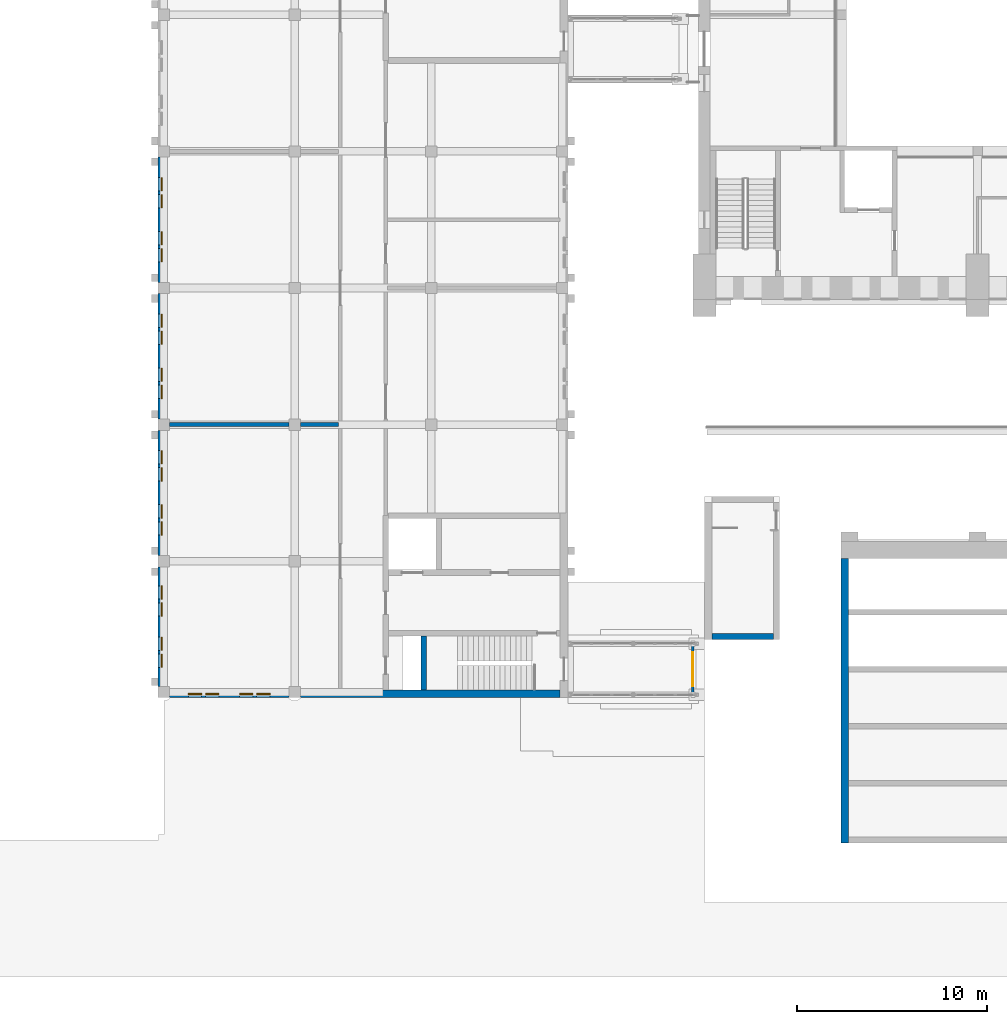
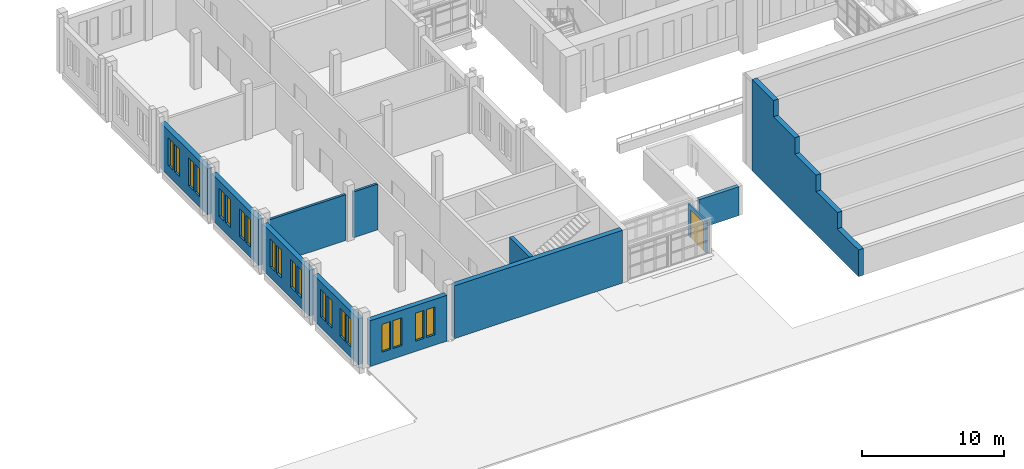
# One storey, part 75 of 131: 20 windows, 12 walls, 1 door, 21 openings.
"""IFC4 building model written with IfcOpenShell, lengths in metres."""

from ifc_helpers import new_model, si_unit, direction, frame, frame_2d, origin, place, context, subcontext, project, spatial, polyline, rectangle, outline, extrude, material, layer, layer_set, type_object, element, fill, save


model = new_model("IFC4")

# Units and contexts
model_context = context("Model", 3, precision=1e-05, world=origin(), true_north=direction((0.0, 1.0)))
body_context = subcontext(model_context, "Body", "Model", "MODEL_VIEW")
ifc_project = project(units=[si_unit("LENGTHUNIT", "METRE"), si_unit("AREAUNIT", "SQUARE_METRE"), si_unit("VOLUMEUNIT", "CUBIC_METRE"), si_unit("PLANEANGLEUNIT", "RADIAN"), si_unit("MASSUNIT", "GRAM", prefix="KILO")], contexts=[model_context])

# Site, building, storey
site_placement = place(None, origin())
site = spatial("IfcSite", under=ifc_project, at=site_placement, CompositionType="ELEMENT")
building_placement = place(site_placement, origin())
building = spatial("IfcBuilding", under=site, at=building_placement, Name="Alderwick Market Hall", CompositionType="ELEMENT")
storey_placement = place(building_placement, frame((0.0, 0.0, 4.800048828125)))
storey = spatial("IfcBuildingStorey", under=building, at=storey_placement, Name="L00", CompositionType="ELEMENT", Elevation=4.800048828125)

# Walls
ifc_material_1 = material(Name="Concrete 5000 psi (f'c 35 MPa)", Category="concrete")
ifc_layer_1 = layer(ifc_material_1, 0.39990234375)
ifc_layer_set_1 = layer_set([ifc_layer_1], Name="Concrete 5000 psi (f'c 35 MPa)")
wall_type_1 = type_object("IfcWallType", Name="A RC Bank Cheek Wall 400", PredefinedType="SOLIDWALL", material=ifc_layer_set_1)
wall_1_placement = place(storey_placement, frame((57.800048828125, 36.14990234375, 0.0), z_axis=(0.0, 0.0, 1.0), x_axis=(0.0, -1.0, 0.0)))
element("IfcWall", 1, at=wall_1_placement, inside=storey, type_object=wall_type_1, Name="Bank cheek wall", PredefinedType="SOLIDWALL", context=body_context, shape_type="SweptSolid", body=[
    extrude(outline(polyline([(0.0, 0.0), (15.0, 0.0), (15.0, 2.300048828125), (12.0009765625, 2.300048828125), (12.0, 3.699951171875), (9.0009765625, 3.699951171875), (9.0, 5.099853515625), (6.0009765625, 5.099853515625), (6.0, 6.5), (3.0009765625, 6.5), (3.0, 7.89990234375), (0.0, 7.89990234375), (0.0, 0.0)])), frame((0.0, 0.199951171875, 0.0), z_axis=(0.0, -1.0, 0.0), x_axis=(1.0, 0.0, 0.0)), (0.0, 0.0, 1.0), 0.39990234375),
])
ifc_layer_2 = layer(ifc_material_1, 0.300048828125)
ifc_layer_set_2 = layer_set([ifc_layer_2], Name="Concrete 5000 psi (f'c 35 MPa)")
wall_type_2 = type_object("IfcWallType", Name="A RC Head-house Wall 300", PredefinedType="SHEAR", material=ifc_layer_set_2)
wall_2_placement = place(storey_placement, frame((50.800048828125, 32.030029296875, 0.0), z_axis=(0.0, 0.0, 1.0), x_axis=(1.0, 0.0, 0.0)))
element("IfcWall", 2, at=wall_2_placement, inside=storey, type_object=wall_type_2, Name="A.S.hh.W.n", PredefinedType="SHEAR", context=body_context, shape_type="SweptSolid", body=[
    extrude(rectangle(XDim=3.25, YDim=0.300048828125, at=frame_2d((1.625, 0.0))), origin(), (0.0, 0.0, 1.0), 2.5),
])

# Wall, openings, windows
ifc_material_2 = material(Name="Face brick", Category="masonry")
ifc_layer_3 = layer(ifc_material_2, 0.39990234375)
ifc_layer_set_3 = layer_set([ifc_layer_3], Name="Face brick")
wall_type_3 = type_object("IfcWallType", Name="B Brick Cavity Wall 400", PredefinedType="SOLIDWALL", material=ifc_layer_set_3)
wall_3_placement = place(storey_placement, frame((22.199951171875, 29.0, 0.0), z_axis=(0.0, 0.0, 1.0), x_axis=(1.0, 0.0, 0.0)))
wall_3 = element("IfcWall", 3, at=wall_3_placement, inside=storey, type_object=wall_type_3, Name="B.S.wall.L00.000", PredefinedType="SOLIDWALL", context=body_context, shape_type="SweptSolid", body=[
    extrude(rectangle(XDim=6.300048828125, YDim=0.39990234375, at=frame_2d((3.14990234375, 0.0))), origin(), (0.0, 0.0, 1.0), 3.949951171875),
])
opening_1_placement = place(wall_3_placement, frame((1.0, 0.0, 0.89990234375)))
opening_1 = element("IfcOpeningElement", 4, at=opening_1_placement, cuts=wall_3, Name="Opening B-W074", PredefinedType="OPENING", context=body_context, shape_type="SweptSolid", body=[
    extrude(rectangle(XDim=0.699951171875, YDim=2.39990234375, at=frame_2d((0.35009765625, 1.199951171875))), frame((0.0, 0.2099609375, 0.0), z_axis=(0.0, -1.0, 0.0), x_axis=(1.0, 0.0, 0.0)), (0.0, 0.0, 1.0), 0.419921875),
])
opening_2_placement = place(wall_3_placement, frame((1.89990234375, 0.0, 0.89990234375)))
opening_2 = element("IfcOpeningElement", 5, at=opening_2_placement, cuts=wall_3, Name="Opening B-W075", PredefinedType="OPENING", context=body_context, shape_type="SweptSolid", body=[
    extrude(rectangle(XDim=0.699951171875, YDim=2.39990234375, at=frame_2d((0.35009765625, 1.199951171875))), frame((0.0, 0.2099609375, 0.0), z_axis=(0.0, -1.0, 0.0), x_axis=(1.0, 0.0, 0.0)), (0.0, 0.0, 1.0), 0.419921875),
])
opening_3_placement = place(wall_3_placement, frame((3.699951171875, 0.0, 0.89990234375)))
opening_3 = element("IfcOpeningElement", 6, at=opening_3_placement, cuts=wall_3, Name="Opening B-W076", PredefinedType="OPENING", context=body_context, shape_type="SweptSolid", body=[
    extrude(rectangle(XDim=0.699951171875, YDim=2.39990234375, at=frame_2d((0.35009765625, 1.199951171875))), frame((0.0, 0.2099609375, 0.0), z_axis=(0.0, -1.0, 0.0), x_axis=(1.0, 0.0, 0.0)), (0.0, 0.0, 1.0), 0.419921875),
])
opening_4_placement = place(wall_3_placement, frame((4.60009765625, 0.0, 0.89990234375)))
opening_4 = element("IfcOpeningElement", 7, at=opening_4_placement, cuts=wall_3, Name="Opening B-W077", PredefinedType="OPENING", context=body_context, shape_type="SweptSolid", body=[
    extrude(rectangle(XDim=0.699951171875, YDim=2.39990234375, at=frame_2d((0.35009765625, 1.199951171875))), frame((0.0, 0.2099609375, 0.0), z_axis=(0.0, -1.0, 0.0), x_axis=(1.0, 0.0, 0.0)), (0.0, 0.0, 1.0), 0.419921875),
])
ifc_material_3 = material(Name="Aluminium frame", Category="aluminium")
window_type = type_object("IfcWindowType", Name="B Piano Nobile Window 700x2400", PartitioningType="SINGLE_PANEL", PredefinedType="WINDOW", material=ifc_material_3)
window_1_placement = place(opening_1_placement, origin())
window_1 = element("IfcWindow", 8, at=window_1_placement, inside=storey, type_object=window_type, Name="Window B-W074", OverallHeight=2.39990234375, OverallWidth=0.699951171875, PartitioningType="SINGLE_PANEL", PredefinedType="WINDOW", context=body_context, shape_type="SweptSolid", body=[
    extrude(rectangle(XDim=0.699951171875, YDim=2.39990234375, at=frame_2d((0.35009765625, 1.199951171875))), frame((0.0, 0.030029296875, 0.0), z_axis=(0.0, -1.0, 0.0), x_axis=(1.0, 0.0, 0.0)), (0.0, 0.0, 1.0), 0.06005859375),
])
fill(opening_1, window_1)
window_2_placement = place(opening_2_placement, origin())
window_2 = element("IfcWindow", 9, at=window_2_placement, inside=storey, type_object=window_type, Name="Window B-W075", OverallHeight=2.39990234375, OverallWidth=0.699951171875, PartitioningType="SINGLE_PANEL", PredefinedType="WINDOW", context=body_context, shape_type="SweptSolid", body=[
    extrude(rectangle(XDim=0.699951171875, YDim=2.39990234375, at=frame_2d((0.35009765625, 1.199951171875))), frame((0.0, 0.030029296875, 0.0), z_axis=(0.0, -1.0, 0.0), x_axis=(1.0, 0.0, 0.0)), (0.0, 0.0, 1.0), 0.06005859375),
])
fill(opening_2, window_2)
window_3_placement = place(opening_3_placement, origin())
window_3 = element("IfcWindow", 10, at=window_3_placement, inside=storey, type_object=window_type, Name="Window B-W076", OverallHeight=2.39990234375, OverallWidth=0.699951171875, PartitioningType="SINGLE_PANEL", PredefinedType="WINDOW", context=body_context, shape_type="SweptSolid", body=[
    extrude(rectangle(XDim=0.699951171875, YDim=2.39990234375, at=frame_2d((0.35009765625, 1.199951171875))), frame((0.0, 0.030029296875, 0.0), z_axis=(0.0, -1.0, 0.0), x_axis=(1.0, 0.0, 0.0)), (0.0, 0.0, 1.0), 0.06005859375),
])
fill(opening_3, window_3)
window_4_placement = place(opening_4_placement, origin())
window_4 = element("IfcWindow", 11, at=window_4_placement, inside=storey, type_object=window_type, Name="Window B-W077", OverallHeight=2.39990234375, OverallWidth=0.699951171875, PartitioningType="SINGLE_PANEL", PredefinedType="WINDOW", context=body_context, shape_type="SweptSolid", body=[
    extrude(rectangle(XDim=0.699951171875, YDim=2.39990234375, at=frame_2d((0.35009765625, 1.199951171875))), frame((0.0, 0.030029296875, 0.0), z_axis=(0.0, -1.0, 0.0), x_axis=(1.0, 0.0, 0.0)), (0.0, 0.0, 1.0), 0.06005859375),
])
fill(opening_4, window_4)

wall_4_placement = place(storey_placement, frame((21.800048828125, 29.39990234375, 0.0), z_axis=(0.0, 0.0, 1.0), x_axis=(0.0, 1.0, 0.0)))
wall_4 = element("IfcWall", 12, at=wall_4_placement, inside=storey, type_object=wall_type_3, Name="B.S.wall.L00.016", PredefinedType="SOLIDWALL", context=body_context, shape_type="SweptSolid", body=[
    extrude(rectangle(XDim=6.300048828125, YDim=0.39990234375, at=frame_2d((3.14990234375, 0.0))), origin(), (0.0, 0.0, 1.0), 3.949951171875),
])
opening_5_placement = place(wall_4_placement, frame((1.0, 0.0, 0.89990234375)))
opening_5 = element("IfcOpeningElement", 13, at=opening_5_placement, cuts=wall_4, Name="Opening B-W082", PredefinedType="OPENING", context=body_context, shape_type="SweptSolid", body=[
    extrude(rectangle(XDim=0.699951171875, YDim=2.39990234375, at=frame_2d((0.35009765625, 1.199951171875))), frame((0.0, 0.2099609375, 0.0), z_axis=(0.0, -1.0, 0.0), x_axis=(1.0, 0.0, 0.0)), (0.0, 0.0, 1.0), 0.419921875),
])
opening_6_placement = place(wall_4_placement, frame((1.89990234375, 0.0, 0.89990234375)))
opening_6 = element("IfcOpeningElement", 14, at=opening_6_placement, cuts=wall_4, Name="Opening B-W083", PredefinedType="OPENING", context=body_context, shape_type="SweptSolid", body=[
    extrude(rectangle(XDim=0.699951171875, YDim=2.39990234375, at=frame_2d((0.35009765625, 1.199951171875))), frame((0.0, 0.2099609375, 0.0), z_axis=(0.0, -1.0, 0.0), x_axis=(1.0, 0.0, 0.0)), (0.0, 0.0, 1.0), 0.419921875),
])
opening_7_placement = place(wall_4_placement, frame((3.699951171875, 0.0, 0.89990234375)))
opening_7 = element("IfcOpeningElement", 15, at=opening_7_placement, cuts=wall_4, Name="Opening B-W084", PredefinedType="OPENING", context=body_context, shape_type="SweptSolid", body=[
    extrude(rectangle(XDim=0.699951171875, YDim=2.39990234375, at=frame_2d((0.35009765625, 1.199951171875))), frame((0.0, 0.2099609375, 0.0), z_axis=(0.0, -1.0, 0.0), x_axis=(1.0, 0.0, 0.0)), (0.0, 0.0, 1.0), 0.419921875),
])
opening_8_placement = place(wall_4_placement, frame((4.60009765625, 0.0, 0.89990234375)))
opening_8 = element("IfcOpeningElement", 16, at=opening_8_placement, cuts=wall_4, Name="Opening B-W085", PredefinedType="OPENING", context=body_context, shape_type="SweptSolid", body=[
    extrude(rectangle(XDim=0.699951171875, YDim=2.39990234375, at=frame_2d((0.35009765625, 1.199951171875))), frame((0.0, 0.2099609375, 0.0), z_axis=(0.0, -1.0, 0.0), x_axis=(1.0, 0.0, 0.0)), (0.0, 0.0, 1.0), 0.419921875),
])
window_5_placement = place(opening_5_placement, origin())
window_5 = element("IfcWindow", 17, at=window_5_placement, inside=storey, type_object=window_type, Name="Window B-W082", OverallHeight=2.39990234375, OverallWidth=0.699951171875, PartitioningType="SINGLE_PANEL", PredefinedType="WINDOW", context=body_context, shape_type="SweptSolid", body=[
    extrude(rectangle(XDim=0.699951171875, YDim=2.39990234375, at=frame_2d((0.35009765625, 1.199951171875))), frame((0.0, 0.030029296875, 0.0), z_axis=(0.0, -1.0, 0.0), x_axis=(1.0, 0.0, 0.0)), (0.0, 0.0, 1.0), 0.06005859375),
])
fill(opening_5, window_5)
window_6_placement = place(opening_6_placement, origin())
window_6 = element("IfcWindow", 18, at=window_6_placement, inside=storey, type_object=window_type, Name="Window B-W083", OverallHeight=2.39990234375, OverallWidth=0.699951171875, PartitioningType="SINGLE_PANEL", PredefinedType="WINDOW", context=body_context, shape_type="SweptSolid", body=[
    extrude(rectangle(XDim=0.699951171875, YDim=2.39990234375, at=frame_2d((0.35009765625, 1.199951171875))), frame((0.0, 0.030029296875, 0.0), z_axis=(0.0, -1.0, 0.0), x_axis=(1.0, 0.0, 0.0)), (0.0, 0.0, 1.0), 0.06005859375),
])
fill(opening_6, window_6)
window_7_placement = place(opening_7_placement, origin())
window_7 = element("IfcWindow", 19, at=window_7_placement, inside=storey, type_object=window_type, Name="Window B-W084", OverallHeight=2.39990234375, OverallWidth=0.699951171875, PartitioningType="SINGLE_PANEL", PredefinedType="WINDOW", context=body_context, shape_type="SweptSolid", body=[
    extrude(rectangle(XDim=0.699951171875, YDim=2.39990234375, at=frame_2d((0.35009765625, 1.199951171875))), frame((0.0, 0.030029296875, 0.0), z_axis=(0.0, -1.0, 0.0), x_axis=(1.0, 0.0, 0.0)), (0.0, 0.0, 1.0), 0.06005859375),
])
fill(opening_7, window_7)
window_8_placement = place(opening_8_placement, origin())
window_8 = element("IfcWindow", 20, at=window_8_placement, inside=storey, type_object=window_type, Name="Window B-W085", OverallHeight=2.39990234375, OverallWidth=0.699951171875, PartitioningType="SINGLE_PANEL", PredefinedType="WINDOW", context=body_context, shape_type="SweptSolid", body=[
    extrude(rectangle(XDim=0.699951171875, YDim=2.39990234375, at=frame_2d((0.35009765625, 1.199951171875))), frame((0.0, 0.030029296875, 0.0), z_axis=(0.0, -1.0, 0.0), x_axis=(1.0, 0.0, 0.0)), (0.0, 0.0, 1.0), 0.06005859375),
])
fill(opening_8, window_8)

wall_5_placement = place(storey_placement, frame((21.800048828125, 36.300048828125, 0.0), z_axis=(0.0, 0.0, 1.0), x_axis=(0.0, 1.0, 0.0)))
wall_5 = element("IfcWall", 21, at=wall_5_placement, inside=storey, type_object=wall_type_3, Name="B.S.wall.L00.017", PredefinedType="SOLIDWALL", context=body_context, shape_type="SweptSolid", body=[
    extrude(rectangle(XDim=6.599853515625, YDim=0.39990234375, at=frame_2d((3.2998046875, 0.0))), origin(), (0.0, 0.0, 1.0), 3.949951171875),
])
opening_9_placement = place(wall_5_placement, frame((1.074951171875, 0.0, 0.89990234375)))
opening_9 = element("IfcOpeningElement", 22, at=opening_9_placement, cuts=wall_5, Name="Opening B-W086", PredefinedType="OPENING", context=body_context, shape_type="SweptSolid", body=[
    extrude(rectangle(XDim=0.699951171875, YDim=2.39990234375, at=frame_2d((0.35009765625, 1.199951171875))), frame((0.0, 0.2099609375, 0.0), z_axis=(0.0, -1.0, 0.0), x_axis=(1.0, 0.0, 0.0)), (0.0, 0.0, 1.0), 0.419921875),
])
opening_10_placement = place(wall_5_placement, frame((1.97509765625, 0.0, 0.89990234375)))
opening_10 = element("IfcOpeningElement", 23, at=opening_10_placement, cuts=wall_5, Name="Opening B-W087", PredefinedType="OPENING", context=body_context, shape_type="SweptSolid", body=[
    extrude(rectangle(XDim=0.699951171875, YDim=2.39990234375, at=frame_2d((0.35009765625, 1.199951171875))), frame((0.0, 0.2099609375, 0.0), z_axis=(0.0, -1.0, 0.0), x_axis=(1.0, 0.0, 0.0)), (0.0, 0.0, 1.0), 0.419921875),
])
opening_11_placement = place(wall_5_placement, frame((3.925048828125, 0.0, 0.89990234375)))
opening_11 = element("IfcOpeningElement", 24, at=opening_11_placement, cuts=wall_5, Name="Opening B-W088", PredefinedType="OPENING", context=body_context, shape_type="SweptSolid", body=[
    extrude(rectangle(XDim=0.699951171875, YDim=2.39990234375, at=frame_2d((0.35009765625, 1.199951171875))), frame((0.0, 0.2099609375, 0.0), z_axis=(0.0, -1.0, 0.0), x_axis=(1.0, 0.0, 0.0)), (0.0, 0.0, 1.0), 0.419921875),
])
opening_12_placement = place(wall_5_placement, frame((4.824951171875, 0.0, 0.89990234375)))
opening_12 = element("IfcOpeningElement", 25, at=opening_12_placement, cuts=wall_5, Name="Opening B-W089", PredefinedType="OPENING", context=body_context, shape_type="SweptSolid", body=[
    extrude(rectangle(XDim=0.699951171875, YDim=2.39990234375, at=frame_2d((0.35009765625, 1.199951171875))), frame((0.0, 0.2099609375, 0.0), z_axis=(0.0, -1.0, 0.0), x_axis=(1.0, 0.0, 0.0)), (0.0, 0.0, 1.0), 0.419921875),
])
window_9_placement = place(opening_9_placement, origin())
window_9 = element("IfcWindow", 26, at=window_9_placement, inside=storey, type_object=window_type, Name="Window B-W086", OverallHeight=2.39990234375, OverallWidth=0.699951171875, PartitioningType="SINGLE_PANEL", PredefinedType="WINDOW", context=body_context, shape_type="SweptSolid", body=[
    extrude(rectangle(XDim=0.699951171875, YDim=2.39990234375, at=frame_2d((0.35009765625, 1.199951171875))), frame((0.0, 0.030029296875, 0.0), z_axis=(0.0, -1.0, 0.0), x_axis=(1.0, 0.0, 0.0)), (0.0, 0.0, 1.0), 0.06005859375),
])
fill(opening_9, window_9)
window_10_placement = place(opening_10_placement, origin())
window_10 = element("IfcWindow", 27, at=window_10_placement, inside=storey, type_object=window_type, Name="Window B-W087", OverallHeight=2.39990234375, OverallWidth=0.699951171875, PartitioningType="SINGLE_PANEL", PredefinedType="WINDOW", context=body_context, shape_type="SweptSolid", body=[
    extrude(rectangle(XDim=0.699951171875, YDim=2.39990234375, at=frame_2d((0.35009765625, 1.199951171875))), frame((0.0, 0.030029296875, 0.0), z_axis=(0.0, -1.0, 0.0), x_axis=(1.0, 0.0, 0.0)), (0.0, 0.0, 1.0), 0.06005859375),
])
fill(opening_10, window_10)
window_11_placement = place(opening_11_placement, origin())
window_11 = element("IfcWindow", 28, at=window_11_placement, inside=storey, type_object=window_type, Name="Window B-W088", OverallHeight=2.39990234375, OverallWidth=0.699951171875, PartitioningType="SINGLE_PANEL", PredefinedType="WINDOW", context=body_context, shape_type="SweptSolid", body=[
    extrude(rectangle(XDim=0.699951171875, YDim=2.39990234375, at=frame_2d((0.35009765625, 1.199951171875))), frame((0.0, 0.030029296875, 0.0), z_axis=(0.0, -1.0, 0.0), x_axis=(1.0, 0.0, 0.0)), (0.0, 0.0, 1.0), 0.06005859375),
])
fill(opening_11, window_11)
window_12_placement = place(opening_12_placement, origin())
window_12 = element("IfcWindow", 29, at=window_12_placement, inside=storey, type_object=window_type, Name="Window B-W089", OverallHeight=2.39990234375, OverallWidth=0.699951171875, PartitioningType="SINGLE_PANEL", PredefinedType="WINDOW", context=body_context, shape_type="SweptSolid", body=[
    extrude(rectangle(XDim=0.699951171875, YDim=2.39990234375, at=frame_2d((0.35009765625, 1.199951171875))), frame((0.0, 0.030029296875, 0.0), z_axis=(0.0, -1.0, 0.0), x_axis=(1.0, 0.0, 0.0)), (0.0, 0.0, 1.0), 0.06005859375),
])
fill(opening_12, window_12)

wall_6_placement = place(storey_placement, frame((21.800048828125, 43.5, 0.0), z_axis=(0.0, 0.0, 1.0), x_axis=(0.0, 1.0, 0.0)))
wall_6 = element("IfcWall", 30, at=wall_6_placement, inside=storey, type_object=wall_type_3, Name="B.S.wall.L00.018", PredefinedType="SOLIDWALL", context=body_context, shape_type="SweptSolid", body=[
    extrude(rectangle(XDim=6.60009765625, YDim=0.39990234375, at=frame_2d((3.300048828125, 0.0))), origin(), (0.0, 0.0, 1.0), 3.949951171875),
])
opening_13_placement = place(wall_6_placement, frame((1.074951171875, 0.0, 0.89990234375)))
opening_13 = element("IfcOpeningElement", 31, at=opening_13_placement, cuts=wall_6, Name="Opening B-W090", PredefinedType="OPENING", context=body_context, shape_type="SweptSolid", body=[
    extrude(rectangle(XDim=0.699951171875, YDim=2.39990234375, at=frame_2d((0.35009765625, 1.199951171875))), frame((0.0, 0.2099609375, 0.0), z_axis=(0.0, -1.0, 0.0), x_axis=(1.0, 0.0, 0.0)), (0.0, 0.0, 1.0), 0.419921875),
])
opening_14_placement = place(wall_6_placement, frame((1.97509765625, 0.0, 0.89990234375)))
opening_14 = element("IfcOpeningElement", 32, at=opening_14_placement, cuts=wall_6, Name="Opening B-W091", PredefinedType="OPENING", context=body_context, shape_type="SweptSolid", body=[
    extrude(rectangle(XDim=0.699951171875, YDim=2.39990234375, at=frame_2d((0.35009765625, 1.199951171875))), frame((0.0, 0.2099609375, 0.0), z_axis=(0.0, -1.0, 0.0), x_axis=(1.0, 0.0, 0.0)), (0.0, 0.0, 1.0), 0.419921875),
])
opening_15_placement = place(wall_6_placement, frame((3.925048828125, 0.0, 0.89990234375)))
opening_15 = element("IfcOpeningElement", 33, at=opening_15_placement, cuts=wall_6, Name="Opening B-W092", PredefinedType="OPENING", context=body_context, shape_type="SweptSolid", body=[
    extrude(rectangle(XDim=0.699951171875, YDim=2.39990234375, at=frame_2d((0.35009765625, 1.199951171875))), frame((0.0, 0.2099609375, 0.0), z_axis=(0.0, -1.0, 0.0), x_axis=(1.0, 0.0, 0.0)), (0.0, 0.0, 1.0), 0.419921875),
])
opening_16_placement = place(wall_6_placement, frame((4.824951171875, 0.0, 0.89990234375)))
opening_16 = element("IfcOpeningElement", 34, at=opening_16_placement, cuts=wall_6, Name="Opening B-W093", PredefinedType="OPENING", context=body_context, shape_type="SweptSolid", body=[
    extrude(rectangle(XDim=0.699951171875, YDim=2.39990234375, at=frame_2d((0.35009765625, 1.199951171875))), frame((0.0, 0.2099609375, 0.0), z_axis=(0.0, -1.0, 0.0), x_axis=(1.0, 0.0, 0.0)), (0.0, 0.0, 1.0), 0.419921875),
])
window_13_placement = place(opening_13_placement, origin())
window_13 = element("IfcWindow", 35, at=window_13_placement, inside=storey, type_object=window_type, Name="Window B-W090", OverallHeight=2.39990234375, OverallWidth=0.699951171875, PartitioningType="SINGLE_PANEL", PredefinedType="WINDOW", context=body_context, shape_type="SweptSolid", body=[
    extrude(rectangle(XDim=0.699951171875, YDim=2.39990234375, at=frame_2d((0.35009765625, 1.199951171875))), frame((0.0, 0.030029296875, 0.0), z_axis=(0.0, -1.0, 0.0), x_axis=(1.0, 0.0, 0.0)), (0.0, 0.0, 1.0), 0.06005859375),
])
fill(opening_13, window_13)
window_14_placement = place(opening_14_placement, origin())
window_14 = element("IfcWindow", 36, at=window_14_placement, inside=storey, type_object=window_type, Name="Window B-W091", OverallHeight=2.39990234375, OverallWidth=0.699951171875, PartitioningType="SINGLE_PANEL", PredefinedType="WINDOW", context=body_context, shape_type="SweptSolid", body=[
    extrude(rectangle(XDim=0.699951171875, YDim=2.39990234375, at=frame_2d((0.35009765625, 1.199951171875))), frame((0.0, 0.030029296875, 0.0), z_axis=(0.0, -1.0, 0.0), x_axis=(1.0, 0.0, 0.0)), (0.0, 0.0, 1.0), 0.06005859375),
])
fill(opening_14, window_14)
window_15_placement = place(opening_15_placement, origin())
window_15 = element("IfcWindow", 37, at=window_15_placement, inside=storey, type_object=window_type, Name="Window B-W092", OverallHeight=2.39990234375, OverallWidth=0.699951171875, PartitioningType="SINGLE_PANEL", PredefinedType="WINDOW", context=body_context, shape_type="SweptSolid", body=[
    extrude(rectangle(XDim=0.699951171875, YDim=2.39990234375, at=frame_2d((0.35009765625, 1.199951171875))), frame((0.0, 0.030029296875, 0.0), z_axis=(0.0, -1.0, 0.0), x_axis=(1.0, 0.0, 0.0)), (0.0, 0.0, 1.0), 0.06005859375),
])
fill(opening_15, window_15)
window_16_placement = place(opening_16_placement, origin())
window_16 = element("IfcWindow", 38, at=window_16_placement, inside=storey, type_object=window_type, Name="Window B-W093", OverallHeight=2.39990234375, OverallWidth=0.699951171875, PartitioningType="SINGLE_PANEL", PredefinedType="WINDOW", context=body_context, shape_type="SweptSolid", body=[
    extrude(rectangle(XDim=0.699951171875, YDim=2.39990234375, at=frame_2d((0.35009765625, 1.199951171875))), frame((0.0, 0.030029296875, 0.0), z_axis=(0.0, -1.0, 0.0), x_axis=(1.0, 0.0, 0.0)), (0.0, 0.0, 1.0), 0.06005859375),
])
fill(opening_16, window_16)

wall_7_placement = place(storey_placement, frame((21.800048828125, 50.699951171875, 0.0), z_axis=(0.0, 0.0, 1.0), x_axis=(0.0, 1.0, 0.0)))
wall_7 = element("IfcWall", 39, at=wall_7_placement, inside=storey, type_object=wall_type_3, Name="B.S.wall.L00.019", PredefinedType="SOLIDWALL", context=body_context, shape_type="SweptSolid", body=[
    extrude(rectangle(XDim=6.60009765625, YDim=0.39990234375, at=frame_2d((3.300048828125, 0.0))), origin(), (0.0, 0.0, 1.0), 3.949951171875),
])
opening_17_placement = place(wall_7_placement, frame((1.074951171875, 0.0, 0.89990234375)))
opening_17 = element("IfcOpeningElement", 40, at=opening_17_placement, cuts=wall_7, Name="Opening B-W094", PredefinedType="OPENING", context=body_context, shape_type="SweptSolid", body=[
    extrude(rectangle(XDim=0.699951171875, YDim=2.39990234375, at=frame_2d((0.35009765625, 1.199951171875))), frame((0.0, 0.2099609375, 0.0), z_axis=(0.0, -1.0, 0.0), x_axis=(1.0, 0.0, 0.0)), (0.0, 0.0, 1.0), 0.419921875),
])
opening_18_placement = place(wall_7_placement, frame((1.97509765625, 0.0, 0.89990234375)))
opening_18 = element("IfcOpeningElement", 41, at=opening_18_placement, cuts=wall_7, Name="Opening B-W095", PredefinedType="OPENING", context=body_context, shape_type="SweptSolid", body=[
    extrude(rectangle(XDim=0.699951171875, YDim=2.39990234375, at=frame_2d((0.35009765625, 1.199951171875))), frame((0.0, 0.2099609375, 0.0), z_axis=(0.0, -1.0, 0.0), x_axis=(1.0, 0.0, 0.0)), (0.0, 0.0, 1.0), 0.419921875),
])
opening_19_placement = place(wall_7_placement, frame((3.925048828125, 0.0, 0.89990234375)))
opening_19 = element("IfcOpeningElement", 42, at=opening_19_placement, cuts=wall_7, Name="Opening B-W096", PredefinedType="OPENING", context=body_context, shape_type="SweptSolid", body=[
    extrude(rectangle(XDim=0.699951171875, YDim=2.39990234375, at=frame_2d((0.35009765625, 1.199951171875))), frame((0.0, 0.2099609375, 0.0), z_axis=(0.0, -1.0, 0.0), x_axis=(1.0, 0.0, 0.0)), (0.0, 0.0, 1.0), 0.419921875),
])
opening_20_placement = place(wall_7_placement, frame((4.824951171875, 0.0, 0.89990234375)))
opening_20 = element("IfcOpeningElement", 43, at=opening_20_placement, cuts=wall_7, Name="Opening B-W097", PredefinedType="OPENING", context=body_context, shape_type="SweptSolid", body=[
    extrude(rectangle(XDim=0.699951171875, YDim=2.39990234375, at=frame_2d((0.35009765625, 1.199951171875))), frame((0.0, 0.2099609375, 0.0), z_axis=(0.0, -1.0, 0.0), x_axis=(1.0, 0.0, 0.0)), (0.0, 0.0, 1.0), 0.419921875),
])
window_17_placement = place(opening_17_placement, origin())
window_17 = element("IfcWindow", 44, at=window_17_placement, inside=storey, type_object=window_type, Name="Window B-W094", OverallHeight=2.39990234375, OverallWidth=0.699951171875, PartitioningType="SINGLE_PANEL", PredefinedType="WINDOW", context=body_context, shape_type="SweptSolid", body=[
    extrude(rectangle(XDim=0.699951171875, YDim=2.39990234375, at=frame_2d((0.35009765625, 1.199951171875))), frame((0.0, 0.030029296875, 0.0), z_axis=(0.0, -1.0, 0.0), x_axis=(1.0, 0.0, 0.0)), (0.0, 0.0, 1.0), 0.06005859375),
])
fill(opening_17, window_17)
window_18_placement = place(opening_18_placement, origin())
window_18 = element("IfcWindow", 45, at=window_18_placement, inside=storey, type_object=window_type, Name="Window B-W095", OverallHeight=2.39990234375, OverallWidth=0.699951171875, PartitioningType="SINGLE_PANEL", PredefinedType="WINDOW", context=body_context, shape_type="SweptSolid", body=[
    extrude(rectangle(XDim=0.699951171875, YDim=2.39990234375, at=frame_2d((0.35009765625, 1.199951171875))), frame((0.0, 0.030029296875, 0.0), z_axis=(0.0, -1.0, 0.0), x_axis=(1.0, 0.0, 0.0)), (0.0, 0.0, 1.0), 0.06005859375),
])
fill(opening_18, window_18)
window_19_placement = place(opening_19_placement, origin())
window_19 = element("IfcWindow", 46, at=window_19_placement, inside=storey, type_object=window_type, Name="Window B-W096", OverallHeight=2.39990234375, OverallWidth=0.699951171875, PartitioningType="SINGLE_PANEL", PredefinedType="WINDOW", context=body_context, shape_type="SweptSolid", body=[
    extrude(rectangle(XDim=0.699951171875, YDim=2.39990234375, at=frame_2d((0.35009765625, 1.199951171875))), frame((0.0, 0.030029296875, 0.0), z_axis=(0.0, -1.0, 0.0), x_axis=(1.0, 0.0, 0.0)), (0.0, 0.0, 1.0), 0.06005859375),
])
fill(opening_19, window_19)
window_20_placement = place(opening_20_placement, origin())
window_20 = element("IfcWindow", 47, at=window_20_placement, inside=storey, type_object=window_type, Name="Window B-W097", OverallHeight=2.39990234375, OverallWidth=0.699951171875, PartitioningType="SINGLE_PANEL", PredefinedType="WINDOW", context=body_context, shape_type="SweptSolid", body=[
    extrude(rectangle(XDim=0.699951171875, YDim=2.39990234375, at=frame_2d((0.35009765625, 1.199951171875))), frame((0.0, 0.030029296875, 0.0), z_axis=(0.0, -1.0, 0.0), x_axis=(1.0, 0.0, 0.0)), (0.0, 0.0, 1.0), 0.06005859375),
])
fill(opening_20, window_20)

# Walls
ifc_material_4 = material(Name="Concrete masonry 3000 psi", Category="masonry")
ifc_layer_4 = layer(ifc_material_4, 0.199951171875)
ifc_layer_set_4 = layer_set([ifc_layer_4], Name="Concrete masonry 3000 psi")
wall_type_4 = type_object("IfcWallType", Name="B Masonry Partition 200", PredefinedType="PARTITIONING", material=ifc_layer_set_4)
wall_8_placement = place(storey_placement, frame((22.199951171875, 43.199951171875, 0.0), z_axis=(0.0, 0.0, 1.0), x_axis=(1.0, 0.0, 0.0)))
element("IfcWall", 48, at=wall_8_placement, inside=storey, type_object=wall_type_4, Name="B.S.wall.L00.005", PredefinedType="PARTITIONING", context=body_context, shape_type="SweptSolid", body=[
    extrude(rectangle(XDim=6.300048828125, YDim=0.199951171875, at=frame_2d((3.14990234375, 0.0))), origin(), (0.0, 0.0, 1.0), 3.949951171875),
])
wall_9_placement = place(storey_placement, frame((29.10009765625, 43.199951171875, 0.0), z_axis=(0.0, 0.0, 1.0), x_axis=(1.0, 0.0, 0.0)))
element("IfcWall", 49, at=wall_9_placement, inside=storey, type_object=wall_type_4, Name="B.S.wall.L00.006", PredefinedType="PARTITIONING", context=body_context, shape_type="SweptSolid", body=[
    extrude(rectangle(XDim=2.0, YDim=0.199951171875, at=frame_2d((1.0, 0.0))), origin(), (0.0, 0.0, 1.0), 3.949951171875),
])
ifc_layer_5 = layer(ifc_material_1, 0.39990234375)
ifc_layer_set_5 = layer_set([ifc_layer_5], Name="Concrete 5000 psi (f'c 35 MPa)")
wall_type_5 = type_object("IfcWallType", Name="B RC Core Facade Wall 400", PredefinedType="SHEAR", material=ifc_layer_set_5)
wall_10_placement = place(storey_placement, frame((29.10009765625, 29.0, 0.0), z_axis=(0.0, 0.0, 1.0), x_axis=(1.0, 0.0, 0.0)))
element("IfcWall", 50, at=wall_10_placement, inside=storey, type_object=wall_type_5, Name="B.S.wall.L00.001", PredefinedType="SHEAR", context=body_context, shape_type="SweptSolid", body=[
    extrude(rectangle(XDim=13.699951171875, YDim=0.39990234375, at=frame_2d((6.85009765625, 0.0))), origin(), (0.0, 0.0, 1.0), 4.550048828125),
])
ifc_layer_6 = layer(ifc_material_1, 0.300048828125)
ifc_layer_set_6 = layer_set([ifc_layer_6], Name="Concrete 5000 psi (f'c 35 MPa)")
wall_type_6 = type_object("IfcWallType", Name="B RC Core Wall 300", PredefinedType="SHEAR", material=ifc_layer_set_6)
wall_11_placement = place(storey_placement, frame((35.60009765625, 29.199951171875, 0.0), z_axis=(0.0, 0.0, 1.0), x_axis=(0.0, 1.0, 0.0)))
element("IfcWall", 51, at=wall_11_placement, inside=storey, type_object=wall_type_6, Name="B.S.wall.L00.026", PredefinedType="SHEAR", context=body_context, shape_type="SweptSolid", body=[
    extrude(rectangle(XDim=2.85009765625, YDim=0.300048828125, at=frame_2d((1.425048828125, 0.0))), origin(), (0.0, 0.0, 1.0), 4.550048828125),
])

# Wall, opening, door
ifc_material_5 = material(Name="Aluminium frame with glazing infill", Category="aluminium")
ifc_layer_7 = layer(ifc_material_5, 0.1201171875)
ifc_layer_set_7 = layer_set([ifc_layer_7], Name="Aluminium frame with glazing infill")
wall_type_7 = type_object("IfcWallType", Name="P Glazed End Wall 120", PredefinedType="SOLIDWALL", material=ifc_layer_set_7)
wall_12_placement = place(storey_placement, frame((49.7900390625, 29.02587890625, 0.0), z_axis=(0.0, 0.0, 1.0), x_axis=(0.0, 1.0, 0.0)))
wall_12 = element("IfcWall", 52, at=wall_12_placement, inside=storey, type_object=wall_type_7, Name="P.P8.endwall.high", PredefinedType="SOLIDWALL", context=body_context, shape_type="SweptSolid", body=[
    extrude(rectangle(XDim=2.548095703125, YDim=0.1201171875, at=frame_2d((1.27392578125, 0.0))), origin(), (0.0, 0.0, 1.0), 2.7529296875),
])
opening_21_placement = place(wall_12_placement, frame((0.3740234375, 0.0, 0.0)))
opening_21 = element("IfcOpeningElement", 53, at=opening_21_placement, cuts=wall_12, Name="Opening P-D006", PredefinedType="OPENING", context=body_context, shape_type="SweptSolid", body=[
    extrude(rectangle(XDim=1.800048828125, YDim=2.39990234375, at=frame_2d((0.89990234375, 1.199951171875))), frame((0.0, 0.070068359375, 0.0), z_axis=(0.0, -1.0, 0.0), x_axis=(1.0, 0.0, 0.0)), (0.0, 0.0, 1.0), 0.14013671875),
])
ifc_material_6 = material(Name="Aluminium frame and glass", Category="aluminium")
door_type = type_object("IfcDoorType", Name="P Glazed Double Door 1800x2400", OperationType="DOUBLE_DOOR_DOUBLE_SWING", PredefinedType="DOOR", material=ifc_material_6)
door_placement = place(opening_21_placement, origin())
door = element("IfcDoor", 54, at=door_placement, inside=storey, type_object=door_type, Name="Passage door onto the roof", OperationType="DOUBLE_DOOR_DOUBLE_SWING", OverallHeight=2.39990234375, OverallWidth=1.800048828125, PredefinedType="DOOR", context=body_context, shape_type="SweptSolid", body=[
    extrude(rectangle(XDim=1.800048828125, YDim=2.39990234375, at=frame_2d((0.89990234375, 1.199951171875))), frame((0.0, 0.02490234375, 0.0), z_axis=(0.0, -1.0, 0.0), x_axis=(1.0, 0.0, 0.0)), (0.0, 0.0, 1.0), 0.050048828125),
])
fill(opening_21, door)

save(model, "model.ifc")
